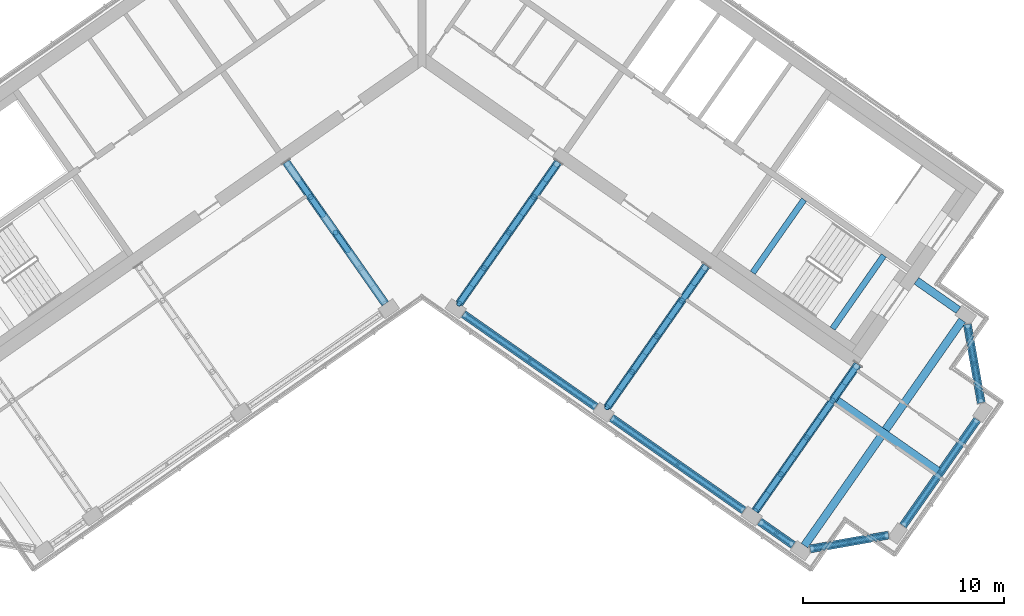
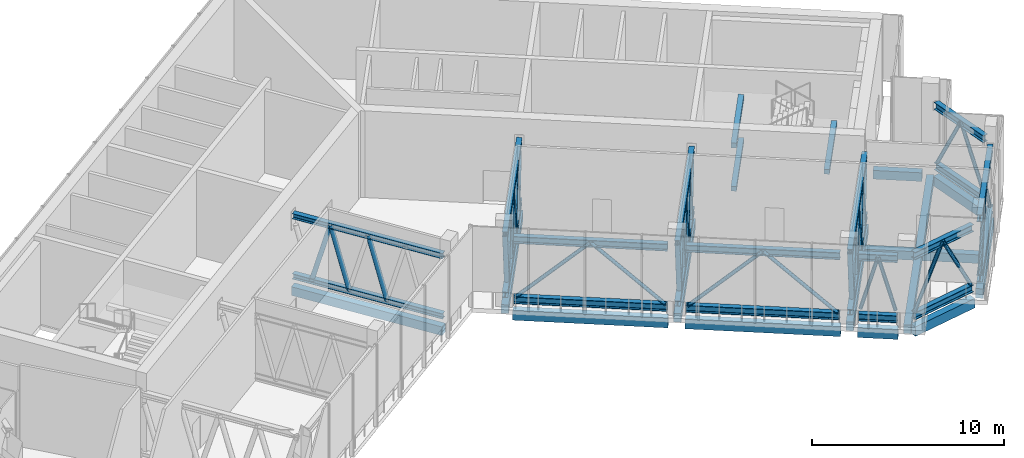
# One storey, part 2 of 16: 59 members, 16 beams.
"""IFC4 building model written with IfcOpenShell, lengths in metres."""

from ifc_helpers import new_model, si_unit, direction, frame, origin, origin_2d, place, context, subcontext, project, spatial, rectangle, hollow_circle, i_section, extrude, material, material_profile, profile_set, type_object, element, save


model = new_model("IFC4")

# Units and contexts
model_context = context("Model", 3, precision=1e-05, world=origin(), true_north=direction((0.0, 1.0)))
body_context = subcontext(model_context, "Body", "Model", "MODEL_VIEW")
ifc_project = project(units=[si_unit("LENGTHUNIT", "METRE"), si_unit("AREAUNIT", "SQUARE_METRE"), si_unit("VOLUMEUNIT", "CUBIC_METRE"), si_unit("PLANEANGLEUNIT", "RADIAN"), si_unit("MASSUNIT", "GRAM", prefix="KILO")], contexts=[model_context])

# Site, building, storey
site_placement = place(None, origin())
site = spatial("IfcSite", under=ifc_project, at=site_placement, CompositionType="ELEMENT")
building_placement = place(site_placement, origin())
building = spatial("IfcBuilding", under=site, at=building_placement, Name="Tel Ilan Convention Tower", CompositionType="ELEMENT")
storey_placement = place(building_placement, frame((0.0, 0.0, 313.300048828125)))
storey = spatial("IfcBuildingStorey", under=building, at=storey_placement, Name="L74", CompositionType="ELEMENT", Elevation=313.300048828125)

# Beams
ifc_material_1 = material(Name="Concrete C40/50", Category="concrete")
ifc_material_profile_1 = material_profile(ifc_material_1, rectangle(XDim=0.39990234375, YDim=0.550048828125, at=origin_2d()), Name="RC 400x550")
ifc_profile_set_1 = profile_set([ifc_material_profile_1], Name="Concrete C40/50")
beam_type_1 = type_object("IfcBeamType", Name="Beam RC 400x550 Concrete C40/50", PredefinedType="BEAM", material=ifc_profile_set_1)
beam_1_placement = place(storey_placement, frame((-1.83740234375, -13.06689453125, -0.554931640625), z_axis=(-0.573574099654, 0.819153680457, 0.0), x_axis=(-0.819153680457, -0.573574099654, 0.0)))
element("IfcBeam", 1, at=beam_1_placement, inside=storey, type_object=beam_type_1, Name="L74 beam W-W-F1-core", PredefinedType="BEAM", context=body_context, shape_type="SweptSolid", body=[
    extrude(rectangle(XDim=0.39990234375, YDim=0.550048828125, at=origin_2d()), origin(), (0.0, 0.0, 1.0), 8.64990234375),
])
beam_2_placement = place(storey_placement, frame((26.700927734375, -13.385986328125, -0.554931640625), z_axis=(-0.819119449707, 0.573622983424, 0.0), x_axis=(-0.573622983424, -0.819119449707, 0.0)))
element("IfcBeam", 2, at=beam_2_placement, inside=storey, type_object=beam_type_1, Name="L74 beam E-E-BC-core", PredefinedType="BEAM", context=body_context, shape_type="SweptSolid", body=[
    extrude(rectangle(XDim=0.39990234375, YDim=0.550048828125, at=origin_2d()), origin(), (0.0, 0.0, 1.0), 2.5498046875),
])
for number, where, z_axis, x_axis, name in (
    (3, (1.83740234375, -13.06689453125, -0.554931640625), (0.573574099654, 0.819153680457, 0.0), (-0.819153680457, 0.573574099654, 0.0), "L74 beam E-E-F1-core"),
    (4, (9.209716796875, -18.229248046875, -0.554931640625), (0.573574099654, 0.819153680457, 0.0), (-0.819153680457, 0.573574099654, 0.0), "L74 beam E-E-F2-core"),
):
    element("IfcBeam", number, at=place(storey_placement, frame(where, z_axis=z_axis, x_axis=x_axis)), inside=storey, type_object=beam_type_1, Name=name, PredefinedType="BEAM", context=body_context, shape_type="SweptSolid", body=[
        extrude(rectangle(XDim=0.39990234375, YDim=0.550048828125, at=origin_2d()), origin(), (0.0, 0.0, 1.0), 8.64990234375),
    ])
beam_3_placement = place(storey_placement, frame((16.58203125, -23.391357421875, -0.554931640625), z_axis=(0.573584999642, 0.819146048141, 0.0), x_axis=(-0.819146048141, 0.573584999642, 0.0)))
element("IfcBeam", 5, at=beam_3_placement, inside=storey, type_object=beam_type_1, Name="L74 beam E-E-F3-core", PredefinedType="BEAM", context=body_context, shape_type="SweptSolid", body=[
    extrude(rectangle(XDim=0.39990234375, YDim=0.550048828125, at=origin_2d()), origin(), (0.0, 0.0, 1.0), 8.949951171875),
])
beam_4_placement = place(storey_placement, frame((20.6748046875, -17.89501953125, -0.554931640625), z_axis=(0.819171356584, -0.573548854548, 0.0), x_axis=(0.573548854548, 0.819171356584, 0.0)))
element("IfcBeam", 6, at=beam_4_placement, inside=storey, type_object=beam_type_1, Name="L74 beam E-core-end", PredefinedType="BEAM", context=body_context, shape_type="SweptSolid", body=[
    extrude(rectangle(XDim=0.39990234375, YDim=0.550048828125, at=origin_2d()), origin(), (0.0, 0.0, 1.0), 6.25),
])
beam_5_placement = place(storey_placement, frame((19.03955078125, -25.112060546875, -0.554931640625), z_axis=(0.57357117602, 0.819155727587, 0.0), x_axis=(-0.819155727587, 0.57357117602, 0.0)))
element("IfcBeam", 7, at=beam_5_placement, inside=storey, type_object=beam_type_1, Name="L74 beam E-E-FC-E-BC", PredefinedType="BEAM", context=body_context, shape_type="SweptSolid", body=[
    extrude(rectangle(XDim=0.39990234375, YDim=0.550048828125, at=origin_2d()), origin(), (0.0, 0.0, 1.0), 13.699951171875),
])
ifc_material_2 = material(Name="Concrete C40/50", Category="concrete")
ifc_material_profile_2 = material_profile(ifc_material_2, rectangle(XDim=0.39990234375, YDim=0.60009765625, at=origin_2d()), Name="RC 400x600")
ifc_profile_set_2 = profile_set([ifc_material_profile_2], Name="Concrete C40/50")
beam_type_2 = type_object("IfcBeamType", Name="Beam RC 400x600 Concrete C40/50", PredefinedType="BEAM", material=ifc_profile_set_2)
beam_6_placement = place(storey_placement, frame((2.033935546875, -13.57080078125, -0.580078125), z_axis=(0.81914553362, -0.573585734437, 0.0), x_axis=(0.573585734437, 0.81914553362, 0.0)))
element("IfcBeam", 8, at=beam_6_placement, inside=storey, type_object=beam_type_2, Name="L74 beam E-E-F1-E-F2", PredefinedType="BEAM", context=body_context, shape_type="SweptSolid", body=[
    extrude(rectangle(XDim=0.39990234375, YDim=0.60009765625, at=origin_2d()), origin(), (0.0, 0.0, 1.0), 8.099853515625),
])
beam_7_placement = place(storey_placement, frame((9.40625, -18.73291015625, -0.580078125), z_axis=(0.819155449703, -0.573571572885, 0.0), x_axis=(0.573571572885, 0.819155449703, 0.0)))
element("IfcBeam", 9, at=beam_7_placement, inside=storey, type_object=beam_type_2, Name="L74 beam E-E-F2-E-F3", PredefinedType="BEAM", context=body_context, shape_type="SweptSolid", body=[
    extrude(rectangle(XDim=0.39990234375, YDim=0.60009765625, at=origin_2d()), origin(), (0.0, 0.0, 1.0), 8.10009765625),
])
beam_8_placement = place(storey_placement, frame((16.778564453125, -23.895263671875, -0.580078125), z_axis=(0.819188222026, -0.573524765719, 0.0), x_axis=(0.573524765719, 0.819188222026, 0.0)))
element("IfcBeam", 10, at=beam_8_placement, inside=storey, type_object=beam_type_2, Name="L74 beam E-E-F3-E-FC", PredefinedType="BEAM", context=body_context, shape_type="SweptSolid", body=[
    extrude(rectangle(XDim=0.39990234375, YDim=0.60009765625, at=origin_2d()), origin(), (0.0, 0.0, 1.0), 2.099853515625),
])
beam_9_placement = place(storey_placement, frame((19.285400390625, -25.2841796875, -0.580078125), z_axis=(0.984804894423, 0.173664388751, 0.0), x_axis=(-0.173664388751, 0.984804894423, 0.0)))
element("IfcBeam", 11, at=beam_9_placement, inside=storey, type_object=beam_type_2, Name="L74 beam E-E-FC-E-E1", PredefinedType="BEAM", context=body_context, shape_type="SweptSolid", body=[
    extrude(rectangle(XDim=0.39990234375, YDim=0.60009765625, at=origin_2d()), origin(), (0.0, 0.0, 1.0), 4.030517578125),
])
beam_10_placement = place(storey_placement, frame((23.930419921875, -24.14208984375, -0.580078125), z_axis=(0.573563169494, 0.819161333682, 0.0), x_axis=(-0.819161333682, 0.573563169494, 0.0)))
element("IfcBeam", 12, at=beam_10_placement, inside=storey, type_object=beam_type_2, Name="L74 beam E-E-E1-E-E2", PredefinedType="BEAM", context=body_context, shape_type="SweptSolid", body=[
    extrude(rectangle(XDim=0.39990234375, YDim=0.60009765625, at=origin_2d()), origin(), (0.0, 0.0, 1.0), 6.500244140625),
])
beam_11_placement = place(storey_placement, frame((27.84326171875, -18.031005859375, -0.580078125), z_axis=(-0.173664388751, 0.984804894423, 0.0), x_axis=(-0.984804894423, -0.173664388751, 0.0)))
element("IfcBeam", 13, at=beam_11_placement, inside=storey, type_object=beam_type_2, Name="L74 beam E-E-E2-E-BC", PredefinedType="BEAM", context=body_context, shape_type="SweptSolid", body=[
    extrude(rectangle(XDim=0.39990234375, YDim=0.60009765625, at=origin_2d()), origin(), (0.0, 0.0, 1.0), 4.030517578125),
])

# Members
ifc_material_3 = material(Name="Steel S355", Category="steel")
ifc_material_profile_3 = material_profile(ifc_material_3, i_section(OverallWidth=0.300048828125, OverallDepth=0.449951171875, WebThickness=0.013916015625, FlangeThickness=0.02587890625, FilletRadius=0.027099609375, at=origin_2d()), Name="HEB 450")
ifc_profile_set_3 = profile_set([ifc_material_profile_3], Name="Steel S355")
member_type_1 = type_object("IfcMemberType", Name="Belt Truss Chord HEB 450 Steel S355", PredefinedType="CHORD", material=ifc_profile_set_3)
for number, where, z_axis, x_axis, name in (
    (14, (2.054443359375, -13.585205078125, 0.349853515625), (0.819160673808, -0.573564111924, 0.0), (0.573564111924, 0.819160673808, 0.0), "L74 E-F1-E-F2 belt member"),
    (15, (2.054443359375, -13.585205078125, 4.169921875), (0.819160673808, -0.573564111924, 0.0), (0.573564111924, 0.819160673808, 0.0), "L74 E-F1-E-F2 belt member"),
    (16, (9.4267578125, -18.747314453125, 0.349853515625), (0.819146424436, -0.573584462249, 0.0), (0.573584462249, 0.819146424436, 0.0), "L74 E-F2-E-F3 belt member"),
    (17, (9.4267578125, -18.747314453125, 4.169921875), (0.819146424436, -0.573584462249, 0.0), (0.573584462249, 0.819146424436, 0.0), "L74 E-F2-E-F3 belt member"),
):
    element("IfcMember", number, at=place(storey_placement, frame(where, z_axis=z_axis, x_axis=x_axis)), inside=storey, type_object=member_type_1, Name=name, PredefinedType="CHORD", context=body_context, shape_type="SweptSolid", body=[
        extrude(i_section(OverallWidth=0.300048828125, OverallDepth=0.449951171875, WebThickness=0.013916015625, FlangeThickness=0.02587890625, FilletRadius=0.027099609375, at=origin_2d()), origin(), (0.0, 0.0, 1.0), 8.050048828125),
    ])
for number, where, z_axis, x_axis, name in (
    (18, (16.799072265625, -23.90966796875, 0.349853515625), (0.819192756091, -0.57351828948, 0.0), (0.57351828948, 0.819192756091, 0.0), "L74 E-F3-E-FC belt member"),
    (19, (16.799072265625, -23.90966796875, 4.169921875), (0.819192756091, -0.57351828948, 0.0), (0.57351828948, 0.819192756091, 0.0), "L74 E-F3-E-FC belt member"),
):
    element("IfcMember", number, at=place(storey_placement, frame(where, z_axis=z_axis, x_axis=x_axis)), inside=storey, type_object=member_type_1, Name=name, PredefinedType="CHORD", context=body_context, shape_type="SweptSolid", body=[
        extrude(i_section(OverallWidth=0.300048828125, OverallDepth=0.449951171875, WebThickness=0.013916015625, FlangeThickness=0.02587890625, FilletRadius=0.027099609375, at=origin_2d()), origin(), (0.0, 0.0, 1.0), 2.050048828125),
    ])
for number, where, z_axis, x_axis, name in (
    (20, (19.309814453125, -25.27978515625, 0.349853515625), (0.984810714056, 0.173631383913, 0.0), (-0.173631383913, 0.984810714056, 0.0), "L74 E-FC-E-E1 belt member"),
    (21, (19.309814453125, -25.27978515625, 4.169921875), (0.984810714056, 0.173631383913, 0.0), (-0.173631383913, 0.984810714056, 0.0), "L74 E-FC-E-E1 belt member"),
):
    element("IfcMember", number, at=place(storey_placement, frame(where, z_axis=z_axis, x_axis=x_axis)), inside=storey, type_object=member_type_1, Name=name, PredefinedType="CHORD", context=body_context, shape_type="SweptSolid", body=[
        extrude(i_section(OverallWidth=0.300048828125, OverallDepth=0.449951171875, WebThickness=0.013916015625, FlangeThickness=0.02587890625, FilletRadius=0.027099609375, at=origin_2d()), origin(), (0.0, 0.0, 1.0), 3.980712890625),
    ])
for number, where, z_axis, x_axis, name in (
    (22, (23.94482421875, -24.12158203125, 0.349853515625), (0.573553792486, 0.819167899227, 0.0), (-0.819167899227, 0.573553792486, 0.0), "L74 E-E1-E-E2 belt member"),
    (23, (23.94482421875, -24.12158203125, 4.169921875), (0.573553792486, 0.819167899227, 0.0), (-0.819167899227, 0.573553792486, 0.0), "L74 E-E1-E-E2 belt member"),
):
    element("IfcMember", number, at=place(storey_placement, frame(where, z_axis=z_axis, x_axis=x_axis)), inside=storey, type_object=member_type_1, Name=name, PredefinedType="CHORD", context=body_context, shape_type="SweptSolid", body=[
        extrude(i_section(OverallWidth=0.300048828125, OverallDepth=0.449951171875, WebThickness=0.013916015625, FlangeThickness=0.02587890625, FilletRadius=0.027099609375, at=origin_2d()), origin(), (0.0, 0.0, 1.0), 6.449951171875),
    ])
for number, where, z_axis, x_axis, name in (
    (24, (27.8388671875, -18.006591796875, 0.349853515625), (-0.173631383913, 0.984810714056, 0.0), (-0.984810714056, -0.173631383913, 0.0), "L74 E-E2-E-BC belt member"),
    (25, (27.8388671875, -18.006591796875, 4.169921875), (-0.173631383913, 0.984810714056, 0.0), (-0.984810714056, -0.173631383913, 0.0), "L74 E-E2-E-BC belt member"),
):
    element("IfcMember", number, at=place(storey_placement, frame(where, z_axis=z_axis, x_axis=x_axis)), inside=storey, type_object=member_type_1, Name=name, PredefinedType="CHORD", context=body_context, shape_type="SweptSolid", body=[
        extrude(i_section(OverallWidth=0.300048828125, OverallDepth=0.449951171875, WebThickness=0.013916015625, FlangeThickness=0.02587890625, FilletRadius=0.027099609375, at=origin_2d()), origin(), (0.0, 0.0, 1.0), 3.980712890625),
    ])
ifc_material_4 = material(Name="Steel S355", Category="steel")
ifc_material_profile_4 = material_profile(ifc_material_4, hollow_circle(Radius=0.109619140625, WallThickness=0.010009765625, at=origin_2d()), Name="CHS 219.1x10")
ifc_profile_set_4 = profile_set([ifc_material_profile_4], Name="Steel S355")
member_type_2 = type_object("IfcMemberType", Name="Belt Truss Diagonal CHS 219.1x10 Steel S355", PredefinedType="BRACE", material=ifc_profile_set_4)
for number, where, z_axis, x_axis, name in (
    (26, (2.1279296875, -13.63671875, 0.458251953125), (0.595920432861, -0.417243592987, 0.686138923113), (0.573553942528, 0.819167794174, 0.0), "L74 E-F1-E-F2 belt member"),
    (27, (5.3515625, -15.893798828125, 4.169921875), (0.595920432861, -0.417243592987, -0.686138923113), (0.573553942528, 0.819167794174, 0.0), "L74 E-F1-E-F2 belt member"),
    (28, (9.500244140625, -18.798828125, 0.458251953125), (0.595920432861, -0.417243592987, 0.686138923113), (0.573553942528, 0.819167794174, 0.0), "L74 E-F2-E-F3 belt member"),
):
    element("IfcMember", number, at=place(storey_placement, frame(where, z_axis=z_axis, x_axis=x_axis)), inside=storey, type_object=member_type_2, Name=name, PredefinedType="BRACE", context=body_context, shape_type="SweptSolid", body=[
        extrude(hollow_circle(Radius=0.109619140625, WallThickness=0.010009765625, at=origin_2d()), origin(), (0.0, 0.0, 1.0), 5.409423828125),
    ])
member_1_placement = place(storey_placement, frame((12.723876953125, -21.055908203125, 4.169921875), z_axis=(0.595909210818, -0.417280866648, -0.686126002125), x_axis=(0.573595570946, 0.819138645768, 0.0)))
element("IfcMember", 29, at=member_1_placement, inside=storey, type_object=member_type_2, Name="L74 E-F2-E-F3 belt member", PredefinedType="BRACE", context=body_context, shape_type="SweptSolid", body=[
    extrude(hollow_circle(Radius=0.109619140625, WallThickness=0.010009765625, at=origin_2d()), origin(), (0.0, 0.0, 1.0), 5.40966796875),
])
for number, where, z_axis, x_axis, name in (
    (30, (16.889892578125, -23.97314453125, 0.844482421875), (0.217112934127, -0.15205692289, 0.964230608328), (0.573659491166, 0.819093882406, 0.0), "L74 E-F3-E-FC belt member"),
    (31, (17.638671875, -24.49755859375, 4.169921875), (0.217115270648, -0.15198776853, -0.964240985163), (0.573480270919, 0.819219371638, 0.0), "L74 E-F3-E-FC belt member"),
):
    element("IfcMember", number, at=place(storey_placement, frame(where, z_axis=z_axis, x_axis=x_axis)), inside=storey, type_object=member_type_2, Name=name, PredefinedType="BRACE", context=body_context, shape_type="SweptSolid", body=[
        extrude(hollow_circle(Radius=0.109619140625, WallThickness=0.010009765625, at=origin_2d()), origin(), (0.0, 0.0, 1.0), 3.44873046875),
    ])
member_2_placement = place(storey_placement, frame((19.41455078125, -25.261474609375, 0.5986328125), z_axis=(0.459521481571, 0.081081356156, 0.884457925318), x_axis=(-0.173763157884, 0.984787471977, 0.0)))
element("IfcMember", 32, at=member_2_placement, inside=storey, type_object=member_type_2, Name="L74 E-FC-E-E1 belt member", PredefinedType="BRACE", context=body_context, shape_type="SweptSolid", body=[
    extrude(hollow_circle(Radius=0.109619140625, WallThickness=0.010009765625, at=origin_2d()), origin(), (0.0, 0.0, 1.0), 4.037841796875),
])
member_3_placement = place(storey_placement, frame((21.27001953125, -24.93408203125, 4.169921875), z_axis=(0.459478285723, 0.080963472113, -0.884491165096), x_axis=(-0.173533957077, 0.984827886354, 0.0)))
element("IfcMember", 33, at=member_3_placement, inside=storey, type_object=member_type_2, Name="L74 E-FC-E-E1 belt member", PredefinedType="BRACE", context=body_context, shape_type="SweptSolid", body=[
    extrude(hollow_circle(Radius=0.109619140625, WallThickness=0.010009765625, at=origin_2d()), origin(), (0.0, 0.0, 1.0), 4.03759765625),
])
for number, where, z_axis, x_axis, name in (
    (34, (24.0, -24.04248046875, 0.49267578125), (0.371714196138, 0.530796342928, 0.761632325157), (-0.819118258243, 0.5736246848, 0.0), "L74 E-E1-E-E2 belt member"),
    (35, (25.794677734375, -21.479736328125, 4.169921875), (0.371670615273, 0.530806319526, -0.76164664044), (-0.819154923562, 0.573572324301, 0.0), "L74 E-E1-E-E2 belt member"),
):
    element("IfcMember", number, at=place(storey_placement, frame(where, z_axis=z_axis, x_axis=x_axis)), inside=storey, type_object=member_type_2, Name=name, PredefinedType="BRACE", context=body_context, shape_type="SweptSolid", body=[
        extrude(hollow_circle(Radius=0.109619140625, WallThickness=0.010009765625, at=origin_2d()), origin(), (0.0, 0.0, 1.0), 4.828125),
    ])
for number, where, z_axis, x_axis, name in (
    (36, (27.8203125, -17.90185546875, 0.5986328125), (-0.081021289859, 0.459523733529, 0.884462259745), (-0.984809637697, -0.173637488752, 0.0), "L74 E-E2-E-BC belt member"),
    (37, (27.4931640625, -16.04638671875, 4.169921875), (-0.081021289859, 0.459523733529, -0.884462259745), (-0.984809637697, -0.173637488752, 0.0), "L74 E-E2-E-BC belt member"),
):
    element("IfcMember", number, at=place(storey_placement, frame(where, z_axis=z_axis, x_axis=x_axis)), inside=storey, type_object=member_type_2, Name=name, PredefinedType="BRACE", context=body_context, shape_type="SweptSolid", body=[
        extrude(hollow_circle(Radius=0.109619140625, WallThickness=0.010009765625, at=origin_2d()), origin(), (0.0, 0.0, 1.0), 4.037841796875),
    ])

# Beams
ifc_material_5 = material(Name="Concrete C40/50", Category="concrete")
ifc_material_profile_5 = material_profile(ifc_material_5, rectangle(XDim=0.300048828125, YDim=0.300048828125, at=origin_2d()), Name="RC 300x300")
ifc_profile_set_5 = profile_set([ifc_material_profile_5], Name="Concrete C40/50")
beam_type_3 = type_object("IfcBeamType", Name="Landing Beam RC 300x300 Concrete C40/50", PredefinedType="BEAM", material=ifc_profile_set_5)
beam_12_placement = place(storey_placement, frame((19.013671875, -7.881103515625, 1.02490234375), z_axis=(-0.573609622671, -0.819128805976, 0.0), x_axis=(0.819128805976, -0.573609622671, 0.0)))
element("IfcBeam", 38, at=beam_12_placement, inside=storey, type_object=beam_type_3, Name="S4 landing beam L74.1", PredefinedType="BEAM", context=body_context, shape_type="SweptSolid", body=[
    extrude(rectangle(XDim=0.300048828125, YDim=0.300048828125, at=origin_2d()), origin(), (0.0, 0.0, 1.0), 4.449951171875),
])
beam_13_placement = place(storey_placement, frame((22.989990234375, -10.665283203125, 2.39990234375), z_axis=(-0.573583844845, -0.819146856756, 0.0), x_axis=(0.819146856756, -0.573583844845, 0.0)))
element("IfcBeam", 39, at=beam_13_placement, inside=storey, type_object=beam_type_3, Name="S4 landing beam L74.2", PredefinedType="BEAM", context=body_context, shape_type="SweptSolid", body=[
    extrude(rectangle(XDim=0.300048828125, YDim=0.300048828125, at=origin_2d()), origin(), (0.0, 0.0, 1.0), 4.4501953125),
])
beam_14_placement = place(storey_placement, frame((19.013671875, -7.881103515625, 3.77490234375), z_axis=(-0.573609622671, -0.819128805976, 0.0), x_axis=(0.819128805976, -0.573609622671, 0.0)))
element("IfcBeam", 40, at=beam_14_placement, inside=storey, type_object=beam_type_3, Name="S4 landing beam L74.3", PredefinedType="BEAM", context=body_context, shape_type="SweptSolid", body=[
    extrude(rectangle(XDim=0.300048828125, YDim=0.300048828125, at=origin_2d()), origin(), (0.0, 0.0, 1.0), 4.449951171875),
])

# Members
ifc_material_6 = material(Name="Steel S355", Category="steel")
ifc_material_profile_6 = material_profile(ifc_material_6, i_section(OverallWidth=0.300048828125, OverallDepth=0.340087890625, WebThickness=0.011962890625, FlangeThickness=0.021484375, FilletRadius=0.027099609375, at=origin_2d()), Name="HEB 340")
ifc_profile_set_6 = profile_set([ifc_material_profile_6], Name="Steel S355")
member_type_3 = type_object("IfcMemberType", Name="Outrigger Chord HEB 340 Steel S355", PredefinedType="CHORD", material=ifc_profile_set_6)
for number, where, z_axis, x_axis, name in (
    (41, (-1.83740234375, -13.06689453125, 0.349853515625), (-0.573568788328, 0.819157399439, 0.0), (-0.819157399439, -0.573568788328, 0.0), "L74 W-F1 outrigger member"),
    (42, (-1.83740234375, -13.06689453125, 4.169921875), (-0.573568788328, 0.819157399439, 0.0), (-0.819157399439, -0.573568788328, 0.0), "L74 W-F1 outrigger member"),
    (43, (1.83740234375, -13.06689453125, 0.349853515625), (0.573568788328, 0.819157399439, 0.0), (-0.819157399439, 0.573568788328, 0.0), "L74 E-F1 outrigger member"),
    (44, (1.83740234375, -13.06689453125, 4.169921875), (0.573568788328, 0.819157399439, 0.0), (-0.819157399439, 0.573568788328, 0.0), "L74 E-F1 outrigger member"),
):
    element("IfcMember", number, at=place(storey_placement, frame(where, z_axis=z_axis, x_axis=x_axis)), inside=storey, type_object=member_type_3, Name=name, PredefinedType="CHORD", context=body_context, shape_type="SweptSolid", body=[
        extrude(i_section(OverallWidth=0.300048828125, OverallDepth=0.340087890625, WebThickness=0.011962890625, FlangeThickness=0.021484375, FilletRadius=0.027099609375, at=origin_2d()), origin(), (0.0, 0.0, 1.0), 8.619873046875),
    ])
for number, where, z_axis, x_axis, name in (
    (45, (9.209716796875, -18.229248046875, 0.349853515625), (0.573587793123, 0.819144092075, 0.0), (-0.819144092075, 0.573587793123, 0.0), "L74 E-F2 outrigger member"),
    (46, (9.209716796875, -18.229248046875, 4.169921875), (0.573587793123, 0.819144092075, 0.0), (-0.819144092075, 0.573587793123, 0.0), "L74 E-F2 outrigger member"),
):
    element("IfcMember", number, at=place(storey_placement, frame(where, z_axis=z_axis, x_axis=x_axis)), inside=storey, type_object=member_type_3, Name=name, PredefinedType="CHORD", context=body_context, shape_type="SweptSolid", body=[
        extrude(i_section(OverallWidth=0.300048828125, OverallDepth=0.340087890625, WebThickness=0.011962890625, FlangeThickness=0.021484375, FilletRadius=0.027099609375, at=origin_2d()), origin(), (0.0, 0.0, 1.0), 8.6201171875),
    ])
for number, where, z_axis, x_axis, name in (
    (47, (16.58203125, -23.391357421875, 0.349853515625), (0.573585409399, 0.81914576122, 0.0), (-0.81914576122, 0.573585409399, 0.0), "L74 E-F3 outrigger member"),
    (48, (16.58203125, -23.391357421875, 4.169921875), (0.573585409399, 0.81914576122, 0.0), (-0.81914576122, 0.573585409399, 0.0), "L74 E-F3 outrigger member"),
):
    element("IfcMember", number, at=place(storey_placement, frame(where, z_axis=z_axis, x_axis=x_axis)), inside=storey, type_object=member_type_3, Name=name, PredefinedType="CHORD", context=body_context, shape_type="SweptSolid", body=[
        extrude(i_section(OverallWidth=0.300048828125, OverallDepth=0.340087890625, WebThickness=0.011962890625, FlangeThickness=0.021484375, FilletRadius=0.027099609375, at=origin_2d()), origin(), (0.0, 0.0, 1.0), 8.920166015625),
    ])
ifc_material_7 = material(Name="Steel S355", Category="steel")
ifc_material_profile_7 = material_profile(ifc_material_7, hollow_circle(Radius=0.136474609375, WallThickness=0.012451171875, at=origin_2d()), Name="CHS 273x12.5")
ifc_profile_set_7 = profile_set([ifc_material_profile_7], Name="Steel S355")
member_type_4 = type_object("IfcMemberType", Name="Outrigger Diagonal CHS 273x12.5 Steel S355", PredefinedType="BRACE", material=ifc_profile_set_7)
for number, where, z_axis, x_axis, name in (
    (49, (-3.697998046875, -10.409912109375, 0.349853515625), (-0.156195318535, 0.223101029782, 0.962200058708), (-0.819189486731, -0.573522959288, 0.0), "L74 W-F1 outrigger member"),
    (50, (-4.938232421875, -8.638427734375, 0.349853515625), (-0.156195318535, 0.223101029782, 0.962200058708), (-0.819189486731, -0.573522959288, 0.0), "L74 W-F1 outrigger member"),
    (51, (-5.558349609375, -7.752685546875, 4.169921875), (-0.156255311617, 0.223098886481, -0.962190814985), (-0.819083401876, -0.573674455393, 0.0), "L74 W-F1 outrigger member"),
):
    element("IfcMember", number, at=place(storey_placement, frame(where, z_axis=z_axis, x_axis=x_axis)), inside=storey, type_object=member_type_4, Name=name, PredefinedType="BRACE", context=body_context, shape_type="SweptSolid", body=[
        extrude(hollow_circle(Radius=0.136474609375, WallThickness=0.012451171875, at=origin_2d()), origin(), (0.0, 0.0, 1.0), 3.97021484375),
    ])
member_4_placement = place(storey_placement, frame((1.83740234375, -13.06689453125, 4.169921875), z_axis=(0.156197461194, 0.223042595177, -0.962213257991), x_axis=(-0.819115195216, 0.573629058684, 0.0)))
element("IfcMember", 52, at=member_4_placement, inside=storey, type_object=member_type_4, Name="L74 E-F1 outrigger member", PredefinedType="BRACE", context=body_context, shape_type="SweptSolid", body=[
    extrude(hollow_circle(Radius=0.136474609375, WallThickness=0.012451171875, at=origin_2d()), origin(), (0.0, 0.0, 1.0), 3.969970703125),
])
for number, where, z_axis, x_axis, name in (
    (53, (2.45751953125, -12.181396484375, 0.349853515625), (0.156195318535, 0.223101029782, 0.962200058708), (-0.819189486731, 0.573522959288, 0.0), "L74 E-F1 outrigger member"),
    (54, (3.07763671875, -11.295654296875, 4.169921875), (0.156255311617, 0.223098886481, -0.962190814985), (-0.819083401876, 0.573674455393, 0.0), "L74 E-F1 outrigger member"),
    (55, (3.697998046875, -10.409912109375, 0.349853515625), (0.156195318535, 0.223101029782, 0.962200058708), (-0.819189486731, 0.573522959288, 0.0), "L74 E-F1 outrigger member"),
    (56, (4.318115234375, -9.524169921875, 4.169921875), (0.156195318535, 0.223101029782, -0.962200058708), (-0.819189486731, 0.573522959288, 0.0), "L74 E-F1 outrigger member"),
    (57, (4.938232421875, -8.638427734375, 0.349853515625), (0.156195318535, 0.223101029782, 0.962200058708), (-0.819189486731, 0.573522959288, 0.0), "L74 E-F1 outrigger member"),
    (58, (5.558349609375, -7.752685546875, 4.169921875), (0.156255311617, 0.223098886481, -0.962190814985), (-0.819083401876, 0.573674455393, 0.0), "L74 E-F1 outrigger member"),
):
    element("IfcMember", number, at=place(storey_placement, frame(where, z_axis=z_axis, x_axis=x_axis)), inside=storey, type_object=member_type_4, Name=name, PredefinedType="BRACE", context=body_context, shape_type="SweptSolid", body=[
        extrude(hollow_circle(Radius=0.136474609375, WallThickness=0.012451171875, at=origin_2d()), origin(), (0.0, 0.0, 1.0), 3.97021484375),
    ])
member_5_placement = place(storey_placement, frame((6.1787109375, -6.866943359375, 0.349853515625), z_axis=(0.156186661832, 0.223082252561, 0.962205817514), x_axis=(-0.81918174131, 0.573534022273, 0.0)))
element("IfcMember", 59, at=member_5_placement, inside=storey, type_object=member_type_4, Name="L74 E-F1 outrigger member", PredefinedType="BRACE", context=body_context, shape_type="SweptSolid", body=[
    extrude(hollow_circle(Radius=0.136474609375, WallThickness=0.012451171875, at=origin_2d()), origin(), (0.0, 0.0, 1.0), 3.357666015625),
])
for number, where, z_axis, x_axis, name in (
    (60, (9.209716796875, -18.229248046875, 4.169921875), (0.156195318535, 0.223101029782, -0.962200058708), (-0.819189486731, 0.573522959288, 0.0), "L74 E-F2 outrigger member"),
    (61, (9.829833984375, -17.343505859375, 0.349853515625), (0.156255311617, 0.223098886481, 0.962190814985), (-0.819083401876, 0.573674455393, 0.0), "L74 E-F2 outrigger member"),
    (62, (10.4501953125, -16.457763671875, 4.169921875), (0.156195318535, 0.223101029782, -0.962200058708), (-0.819189486731, 0.573522959288, 0.0), "L74 E-F2 outrigger member"),
    (63, (11.0703125, -15.572021484375, 0.349853515625), (0.156195318535, 0.223101029782, 0.962200058708), (-0.819189486731, 0.573522959288, 0.0), "L74 E-F2 outrigger member"),
):
    element("IfcMember", number, at=place(storey_placement, frame(where, z_axis=z_axis, x_axis=x_axis)), inside=storey, type_object=member_type_4, Name=name, PredefinedType="BRACE", context=body_context, shape_type="SweptSolid", body=[
        extrude(hollow_circle(Radius=0.136474609375, WallThickness=0.012451171875, at=origin_2d()), origin(), (0.0, 0.0, 1.0), 3.97021484375),
    ])
member_6_placement = place(storey_placement, frame((11.6904296875, -14.686279296875, 4.169921875), z_axis=(0.156197461194, 0.223042595177, -0.962213257991), x_axis=(-0.819115195216, 0.573629058684, 0.0)))
element("IfcMember", 64, at=member_6_placement, inside=storey, type_object=member_type_4, Name="L74 E-F2 outrigger member", PredefinedType="BRACE", context=body_context, shape_type="SweptSolid", body=[
    extrude(hollow_circle(Radius=0.136474609375, WallThickness=0.012451171875, at=origin_2d()), origin(), (0.0, 0.0, 1.0), 3.969970703125),
])
member_7_placement = place(storey_placement, frame((12.310546875, -13.80078125, 0.349853515625), z_axis=(0.156253167674, 0.223157318178, 0.962177612988), x_axis=(-0.819157681794, 0.573568385075, 0.0)))
element("IfcMember", 65, at=member_7_placement, inside=storey, type_object=member_type_4, Name="L74 E-F2 outrigger member", PredefinedType="BRACE", context=body_context, shape_type="SweptSolid", body=[
    extrude(hollow_circle(Radius=0.136474609375, WallThickness=0.012451171875, at=origin_2d()), origin(), (0.0, 0.0, 1.0), 3.97021484375),
])
member_8_placement = place(storey_placement, frame((12.930908203125, -12.914794921875, 4.169921875), z_axis=(0.156197461194, 0.223042595177, -0.962213257991), x_axis=(-0.819115195216, 0.573629058684, 0.0)))
element("IfcMember", 66, at=member_8_placement, inside=storey, type_object=member_type_4, Name="L74 E-F2 outrigger member", PredefinedType="BRACE", context=body_context, shape_type="SweptSolid", body=[
    extrude(hollow_circle(Radius=0.136474609375, WallThickness=0.012451171875, at=origin_2d()), origin(), (0.0, 0.0, 1.0), 3.969970703125),
])
member_9_placement = place(storey_placement, frame((13.551025390625, -12.029296875, 0.349853515625), z_axis=(0.156186661832, 0.223082252561, 0.962205817514), x_axis=(-0.81918174131, 0.573534022273, 0.0)))
element("IfcMember", 67, at=member_9_placement, inside=storey, type_object=member_type_4, Name="L74 E-F2 outrigger member", PredefinedType="BRACE", context=body_context, shape_type="SweptSolid", body=[
    extrude(hollow_circle(Radius=0.136474609375, WallThickness=0.012451171875, at=origin_2d()), origin(), (0.0, 0.0, 1.0), 3.357666015625),
])
for number, where, z_axis, x_axis, name in (
    (68, (16.58203125, -23.391357421875, 4.169921875), (0.161247304426, 0.230186813812, -0.959694398005), (-0.819037072618, 0.573740597899, 0.0), "L74 E-F3 outrigger member"),
    (69, (17.223876953125, -22.47509765625, 0.349853515625), (0.161185288192, 0.230247173467, 0.959690336505), (-0.819211415764, 0.573491635756, 0.0), "L74 E-F3 outrigger member"),
    (70, (17.865478515625, -21.55859375, 4.169921875), (0.161185288192, 0.230247173467, -0.959690336505), (-0.819211415764, 0.573491635756, 0.0), "L74 E-F3 outrigger member"),
    (71, (18.507080078125, -20.64208984375, 0.349853515625), (0.161185288192, 0.230247173467, 0.959690336505), (-0.819211415764, 0.573491635756, 0.0), "L74 E-F3 outrigger member"),
    (72, (19.148681640625, -19.7255859375, 4.169921875), (0.161245027634, 0.230244896819, -0.959680847236), (-0.81910889168, 0.57363805973, 0.0), "L74 E-F3 outrigger member"),
    (73, (19.79052734375, -18.80908203125, 0.349853515625), (0.161187564186, 0.23018908995, 0.959703887676), (-0.819139624372, 0.573594173421, 0.0), "L74 E-F3 outrigger member"),
    (74, (20.43212890625, -17.892822265625, 4.169921875), (0.161245027634, 0.230244896819, -0.959680847236), (-0.81910889168, 0.57363805973, 0.0), "L74 E-F3 outrigger member"),
):
    element("IfcMember", number, at=place(storey_placement, frame(where, z_axis=z_axis, x_axis=x_axis)), inside=storey, type_object=member_type_4, Name=name, PredefinedType="BRACE", context=body_context, shape_type="SweptSolid", body=[
        extrude(hollow_circle(Radius=0.136474609375, WallThickness=0.012451171875, at=origin_2d()), origin(), (0.0, 0.0, 1.0), 3.98046875),
    ])
member_10_placement = place(storey_placement, frame((21.073974609375, -16.976318359375, 0.349853515625), z_axis=(0.161211547383, 0.230178668906, 0.95970235874), x_axis=(-0.819087321113, 0.573668859527, 0.0)))
element("IfcMember", 75, at=member_10_placement, inside=storey, type_object=member_type_4, Name="L74 E-F3 outrigger member", PredefinedType="BRACE", context=body_context, shape_type="SweptSolid", body=[
    extrude(hollow_circle(Radius=0.136474609375, WallThickness=0.012451171875, at=origin_2d()), origin(), (0.0, 0.0, 1.0), 3.3876953125),
])

save(model, "model.ifc")
